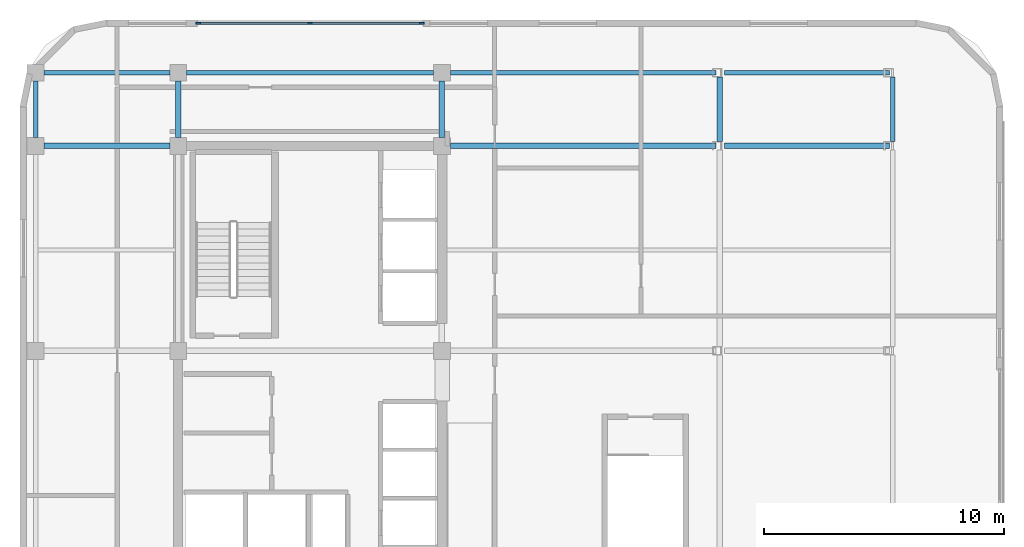
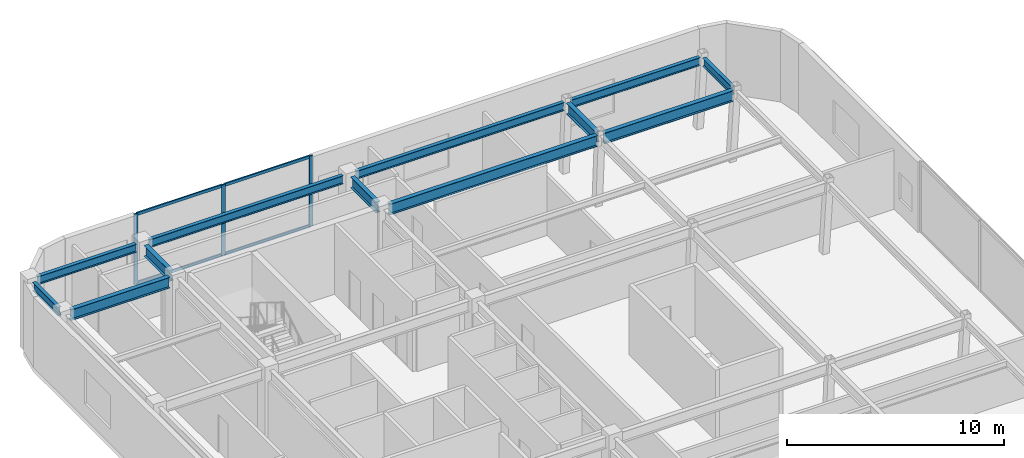
# One storey, part 4 of 11: 12 beams, 7 members, 1 element without a shape of its own.
"""IFC4 building model written with IfcOpenShell, lengths in metres."""

from ifc_helpers import new_model, si_unit, direction, frame, origin, origin_2d, place, context, subcontext, project, spatial, rectangle, i_section, extrude, material, layer, layer_set, material_profile, profile_set, type_object, element, aggregate, save


model = new_model("IFC4")

# Units and contexts
model_context = context("Model", 3, precision=1e-05, world=origin(), true_north=direction((0.0, 1.0)))
body_context = subcontext(model_context, "Body", "Model", "MODEL_VIEW")
ifc_project = project(units=[si_unit("LENGTHUNIT", "METRE"), si_unit("AREAUNIT", "SQUARE_METRE"), si_unit("VOLUMEUNIT", "CUBIC_METRE"), si_unit("PLANEANGLEUNIT", "RADIAN"), si_unit("MASSUNIT", "GRAM", prefix="KILO")], contexts=[model_context])

# Site, building, storey
site_placement = place(None, origin())
site = spatial("IfcSite", under=ifc_project, at=site_placement, CompositionType="ELEMENT")
building_placement = place(site_placement, origin())
building = spatial("IfcBuilding", under=site, at=building_placement, Name="Ochreholt Gables", CompositionType="ELEMENT")
storey_placement = place(building_placement, frame((0.0, 0.0, 192.0)))
storey = spatial("IfcBuildingStorey", under=building, at=storey_placement, Name="L50", CompositionType="ELEMENT", Elevation=192.0)

# Beams
ifc_material_1 = material(Name="Steel CSA G40.21 350W", Category="steel")
ifc_material_profile_1 = material_profile(ifc_material_1, i_section(OverallWidth=0.22900390625, OverallDepth=0.612060546875, WebThickness=0.011962890625, FlangeThickness=0.01953125, at=origin_2d()), Name="W610X125")
ifc_profile_set_1 = profile_set([ifc_material_profile_1], Name="Steel CSA G40.21 350W")
beam_type_1 = type_object("IfcBeamType", Name="BM-G-W610B", PredefinedType="BEAM", material=ifc_profile_set_1)
beam_1_placement = place(storey_placement, frame((18.599609375, 38.75, 3.654052734375), z_axis=(1.0, 0.0, 0.0), x_axis=(0.0, 1.0, 0.0)))
element("IfcBeam", 1, at=beam_1_placement, inside=storey, type_object=beam_type_1, Name="L50 Beam TBG-L50-W3C1-Y5", PredefinedType="BEAM", context=body_context, shape_type="SweptSolid", body=[
    extrude(i_section(OverallWidth=0.22900390625, OverallDepth=0.612060546875, WebThickness=0.011962890625, FlangeThickness=0.01953125, at=origin_2d()), origin(), (0.0, 0.0, 1.0), 5.250732421875),
])
beam_2_placement = place(storey_placement, frame((35.549560546875, 38.75, 3.654052734375), z_axis=(1.0, 0.0, 0.0), x_axis=(0.0, 1.0, 0.0)))
element("IfcBeam", 2, at=beam_2_placement, inside=storey, type_object=beam_type_1, Name="L50 Beam TBG-L50-C2EM-Y5", PredefinedType="BEAM", context=body_context, shape_type="SweptSolid", body=[
    extrude(i_section(OverallWidth=0.22900390625, OverallDepth=0.612060546875, WebThickness=0.011962890625, FlangeThickness=0.01953125, at=origin_2d()), origin(), (0.0, 0.0, 1.0), 11.075927734375),
])
beam_3_placement = place(storey_placement, frame((46.980712890625, 38.75, 3.654052734375), z_axis=(1.0, 0.0, 0.0), x_axis=(0.0, 1.0, 0.0)))
element("IfcBeam", 3, at=beam_3_placement, inside=storey, type_object=beam_type_1, Name="L50 Beam TBG-L50-EMEE-Y5", PredefinedType="BEAM", context=body_context, shape_type="SweptSolid", body=[
    extrude(i_section(OverallWidth=0.22900390625, OverallDepth=0.612060546875, WebThickness=0.011962890625, FlangeThickness=0.01953125, at=origin_2d()), origin(), (0.0, 0.0, 1.0), 6.878173828125),
])
for number, where, z_axis, x_axis, name in (
    (4, (24.199951171875, 39.099609375, 3.654052734375), (0.0, 1.0, 0.0), (-1.0, 0.0, 0.0), "L50 Beam TBN-L50-C1-Y5Y6"),
    (5, (35.199951171875, 39.099609375, 3.654052734375), (0.0, 1.0, 0.0), (-1.0, 0.0, 0.0), "L50 Beam TBN-L50-C2-Y5Y6"),
):
    element("IfcBeam", number, at=place(storey_placement, frame(where, z_axis=z_axis, x_axis=x_axis)), inside=storey, type_object=beam_type_1, Name=name, PredefinedType="BEAM", context=body_context, shape_type="SweptSolid", body=[
        extrude(i_section(OverallWidth=0.22900390625, OverallDepth=0.612060546875, WebThickness=0.011962890625, FlangeThickness=0.01953125, at=origin_2d()), origin(), (0.0, 0.0, 1.0), 2.350830078125),
    ])
beam_4_placement = place(storey_placement, frame((46.785888671875, 38.927490234375, 3.654052734375), z_axis=(0.0, 1.0, 0.0), x_axis=(-1.0, 0.0, 0.0)))
element("IfcBeam", 6, at=beam_4_placement, inside=storey, type_object=beam_type_1, Name="L50 Beam TBN-L50-EM-Y5Y6", PredefinedType="BEAM", context=body_context, shape_type="SweptSolid", body=[
    extrude(i_section(OverallWidth=0.22900390625, OverallDepth=0.612060546875, WebThickness=0.011962890625, FlangeThickness=0.01953125, at=origin_2d()), origin(), (0.0, 0.0, 1.0), 2.69482421875),
])
ifc_material_profile_2 = material_profile(ifc_material_1, i_section(OverallWidth=0.19189453125, OverallDepth=0.462890625, WebThickness=0.010498046875, FlangeThickness=0.017578125, at=origin_2d()), Name="W460X89")
ifc_profile_set_2 = profile_set([ifc_material_profile_2], Name="Steel CSA G40.21 350W")
beam_type_2 = type_object("IfcBeamType", Name="BM-SP-W460A", PredefinedType="SPANDREL", material=ifc_profile_set_2)
beam_5_placement = place(storey_placement, frame((18.599609375, 41.800048828125, 3.728515625), z_axis=(1.0, 0.0, 0.0), x_axis=(0.0, 1.0, 0.0)))
element("IfcBeam", 7, at=beam_5_placement, inside=storey, type_object=beam_type_2, Name="L50 Beam TBG-L50-W3C1-Y6", PredefinedType="SPANDREL", context=body_context, shape_type="SweptSolid", body=[
    extrude(i_section(OverallWidth=0.19189453125, OverallDepth=0.462890625, WebThickness=0.010498046875, FlangeThickness=0.017578125, at=origin_2d()), origin(), (0.0, 0.0, 1.0), 5.250732421875),
])
beam_6_placement = place(storey_placement, frame((24.549560546875, 41.800048828125, 3.728515625), z_axis=(1.0, 0.0, 0.0), x_axis=(0.0, 1.0, 0.0)))
element("IfcBeam", 8, at=beam_6_placement, inside=storey, type_object=beam_type_2, Name="L50 Beam TBG-L50-C1C2-Y6", PredefinedType="SPANDREL", context=body_context, shape_type="SweptSolid", body=[
    extrude(i_section(OverallWidth=0.19189453125, OverallDepth=0.462890625, WebThickness=0.010498046875, FlangeThickness=0.017578125, at=origin_2d()), origin(), (0.0, 0.0, 1.0), 10.30078125),
])
beam_7_placement = place(storey_placement, frame((35.549560546875, 41.800048828125, 3.728515625), z_axis=(1.0, 0.0, 0.0), x_axis=(0.0, 1.0, 0.0)))
element("IfcBeam", 9, at=beam_7_placement, inside=storey, type_object=beam_type_2, Name="L50 Beam TBG-L50-C2EM-Y6", PredefinedType="SPANDREL", context=body_context, shape_type="SweptSolid", body=[
    extrude(i_section(OverallWidth=0.19189453125, OverallDepth=0.462890625, WebThickness=0.010498046875, FlangeThickness=0.017578125, at=origin_2d()), origin(), (0.0, 0.0, 1.0), 11.075927734375),
])
beam_8_placement = place(storey_placement, frame((46.980712890625, 41.800048828125, 3.728515625), z_axis=(1.0, 0.0, 0.0), x_axis=(0.0, 1.0, 0.0)))
element("IfcBeam", 10, at=beam_8_placement, inside=storey, type_object=beam_type_2, Name="L50 Beam TBG-L50-EMEE-Y6", PredefinedType="SPANDREL", context=body_context, shape_type="SweptSolid", body=[
    extrude(i_section(OverallWidth=0.19189453125, OverallDepth=0.462890625, WebThickness=0.010498046875, FlangeThickness=0.017578125, at=origin_2d()), origin(), (0.0, 0.0, 1.0), 6.878173828125),
])
beam_9_placement = place(storey_placement, frame((18.25, 39.099609375, 3.728515625), z_axis=(0.0, 1.0, 0.0), x_axis=(-1.0, 0.0, 0.0)))
element("IfcBeam", 11, at=beam_9_placement, inside=storey, type_object=beam_type_2, Name="L50 Beam TBN-L50-W3-Y5Y6", PredefinedType="SPANDREL", context=body_context, shape_type="SweptSolid", body=[
    extrude(i_section(OverallWidth=0.19189453125, OverallDepth=0.462890625, WebThickness=0.010498046875, FlangeThickness=0.017578125, at=origin_2d()), origin(), (0.0, 0.0, 1.0), 2.350830078125),
])
beam_10_placement = place(storey_placement, frame((54.008056640625, 38.927490234375, 3.728515625), z_axis=(0.0, 1.0, 0.0), x_axis=(-1.0, 0.0, 0.0)))
element("IfcBeam", 12, at=beam_10_placement, inside=storey, type_object=beam_type_2, Name="L50 Beam TBN-L50-EE-Y5Y6", PredefinedType="SPANDREL", context=body_context, shape_type="SweptSolid", body=[
    extrude(i_section(OverallWidth=0.19189453125, OverallDepth=0.462890625, WebThickness=0.010498046875, FlangeThickness=0.017578125, at=origin_2d()), origin(), (0.0, 0.0, 1.0), 2.69482421875),
])

# Curtain wall, members
ifc_material_2 = material(Name="Unitised Aluminium and Triple Glazing", Category="aluminium")
ifc_layer = layer(ifc_material_2, 0.219970703125, Name="Unitised Aluminium and Triple Glazing")
ifc_layer_set = layer_set([ifc_layer], Name="Unitised Aluminium and Triple Glazing")
curtain_wall_type = type_object("IfcCurtainWallType", Name="CW-SYS6", PredefinedType="NOTDEFINED", material=ifc_layer_set)
curtain_wall_placement = place(storey_placement, origin())
curtain_wall = element("IfcCurtainWall", 13, at=curtain_wall_placement, inside=storey, type_object=curtain_wall_type, Name="L50 North Unitised Curtain Wall", PredefinedType="NOTDEFINED")
ifc_material_3 = material(Name="Anodized Aluminium 6063-T6", Category="aluminium")
ifc_material_profile_3 = material_profile(ifc_material_3, rectangle(XDim=0.074951171875, YDim=0.199951171875, at=origin_2d()), Name="CWM75X200")
ifc_profile_set_3 = profile_set([ifc_material_profile_3], Name="Anodized Aluminium 6063-T6")
member_type_1 = type_object("IfcMemberType", Name="CW-MUL-A", PredefinedType="MULLION", material=ifc_profile_set_3)
member_1_placement = place(storey_placement, frame((34.362548828125, 43.860107421875, 0.0), z_axis=(0.0, 0.0, 1.0), x_axis=(0.0, -1.0, 0.0)))
member_1 = element("IfcMember", 14, at=member_1_placement, type_object=member_type_1, Name="CW-6 mullion 1", PredefinedType="MULLION", context=body_context, shape_type="SweptSolid", body=[
    extrude(rectangle(XDim=0.074951171875, YDim=0.199951171875, at=origin_2d()), origin(), (0.0, 0.0, 1.0), 3.9599609375),
])
member_2_placement = place(storey_placement, frame((29.699951171875, 43.860107421875, 0.0), z_axis=(0.0, 0.0, 1.0), x_axis=(0.0, -1.0, 0.0)))
member_2 = element("IfcMember", 15, at=member_2_placement, type_object=member_type_1, Name="CW-6 mullion 2", PredefinedType="MULLION", context=body_context, shape_type="SweptSolid", body=[
    extrude(rectangle(XDim=0.074951171875, YDim=0.199951171875, at=origin_2d()), origin(), (0.0, 0.0, 1.0), 3.9599609375),
])
member_3_placement = place(storey_placement, frame((25.03759765625, 43.860107421875, 0.0), z_axis=(0.0, 0.0, 1.0), x_axis=(0.0, -1.0, 0.0)))
member_3 = element("IfcMember", 16, at=member_3_placement, type_object=member_type_1, Name="CW-6 mullion 3", PredefinedType="MULLION", context=body_context, shape_type="SweptSolid", body=[
    extrude(rectangle(XDim=0.074951171875, YDim=0.199951171875, at=origin_2d()), origin(), (0.0, 0.0, 1.0), 3.9599609375),
])
ifc_material_profile_4 = material_profile(ifc_material_3, rectangle(XDim=0.074951171875, YDim=0.159912109375, at=origin_2d()), Name="CWT75X160")
ifc_profile_set_4 = profile_set([ifc_material_profile_4], Name="Anodized Aluminium 6063-T6")
member_type_2 = type_object("IfcMemberType", Name="CW-TRN-A", PredefinedType="USERDEFINED", material=ifc_profile_set_4)
member_4_placement = place(storey_placement, frame((34.324951171875, 43.860107421875, 0.03759765625), z_axis=(-1.0, 0.0, 0.0), x_axis=(0.0, -1.0, 0.0)))
member_4 = element("IfcMember", 17, at=member_4_placement, type_object=member_type_2, Name="CW-6 transom 1.1", ObjectType="TRANSOM", PredefinedType="USERDEFINED", context=body_context, shape_type="SweptSolid", body=[
    extrude(rectangle(XDim=0.074951171875, YDim=0.159912109375, at=origin_2d()), origin(), (0.0, 0.0, 1.0), 4.58740234375),
])
member_5_placement = place(storey_placement, frame((34.324951171875, 43.860107421875, 3.922607421875), z_axis=(-1.0, 0.0, 0.0), x_axis=(0.0, -1.0, 0.0)))
member_5 = element("IfcMember", 18, at=member_5_placement, type_object=member_type_2, Name="CW-6 transom 1.2", ObjectType="TRANSOM", PredefinedType="USERDEFINED", context=body_context, shape_type="SweptSolid", body=[
    extrude(rectangle(XDim=0.074951171875, YDim=0.159912109375, at=origin_2d()), origin(), (0.0, 0.0, 1.0), 4.58740234375),
])
member_6_placement = place(storey_placement, frame((29.66259765625, 43.860107421875, 0.03759765625), z_axis=(-1.0, 0.0, 0.0), x_axis=(0.0, -1.0, 0.0)))
member_6 = element("IfcMember", 19, at=member_6_placement, type_object=member_type_2, Name="CW-6 transom 2.1", ObjectType="TRANSOM", PredefinedType="USERDEFINED", context=body_context, shape_type="SweptSolid", body=[
    extrude(rectangle(XDim=0.074951171875, YDim=0.159912109375, at=origin_2d()), origin(), (0.0, 0.0, 1.0), 4.587646484375),
])
member_7_placement = place(storey_placement, frame((29.66259765625, 43.860107421875, 3.922607421875), z_axis=(-1.0, 0.0, 0.0), x_axis=(0.0, -1.0, 0.0)))
member_7 = element("IfcMember", 20, at=member_7_placement, type_object=member_type_2, Name="CW-6 transom 2.2", ObjectType="TRANSOM", PredefinedType="USERDEFINED", context=body_context, shape_type="SweptSolid", body=[
    extrude(rectangle(XDim=0.074951171875, YDim=0.159912109375, at=origin_2d()), origin(), (0.0, 0.0, 1.0), 4.587646484375),
])
aggregate(curtain_wall, [member_1, member_2, member_3, member_4, member_5, member_6, member_7])

save(model, "model.ifc")
